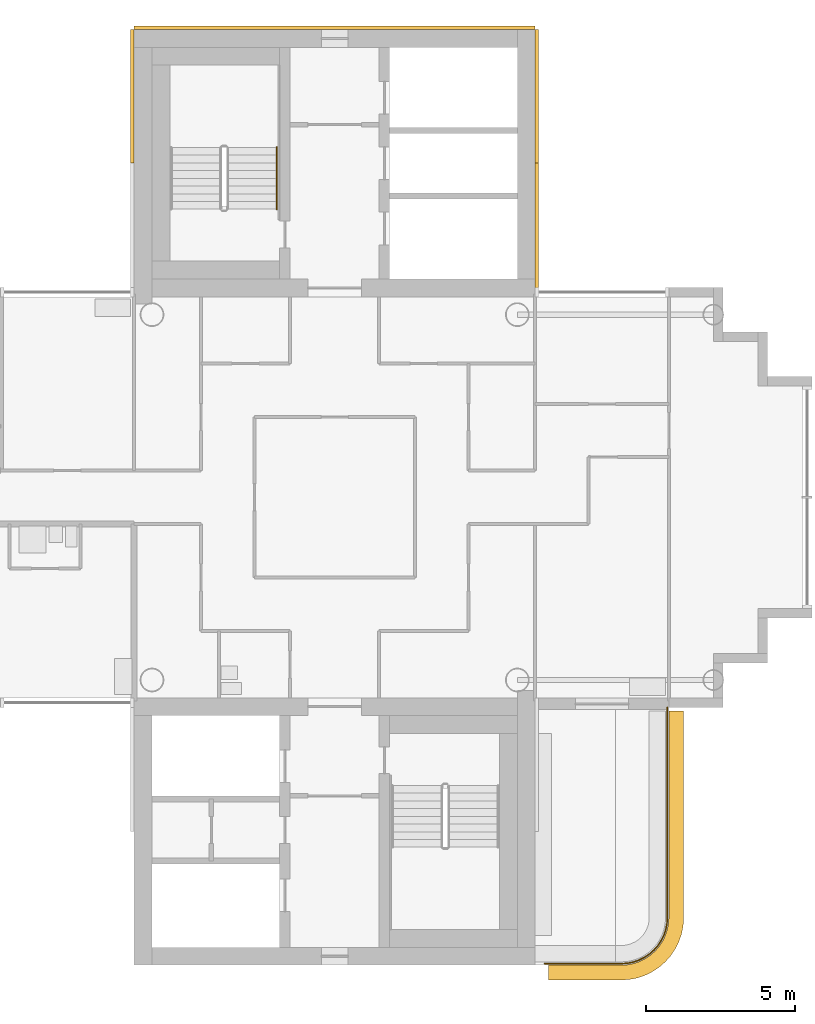
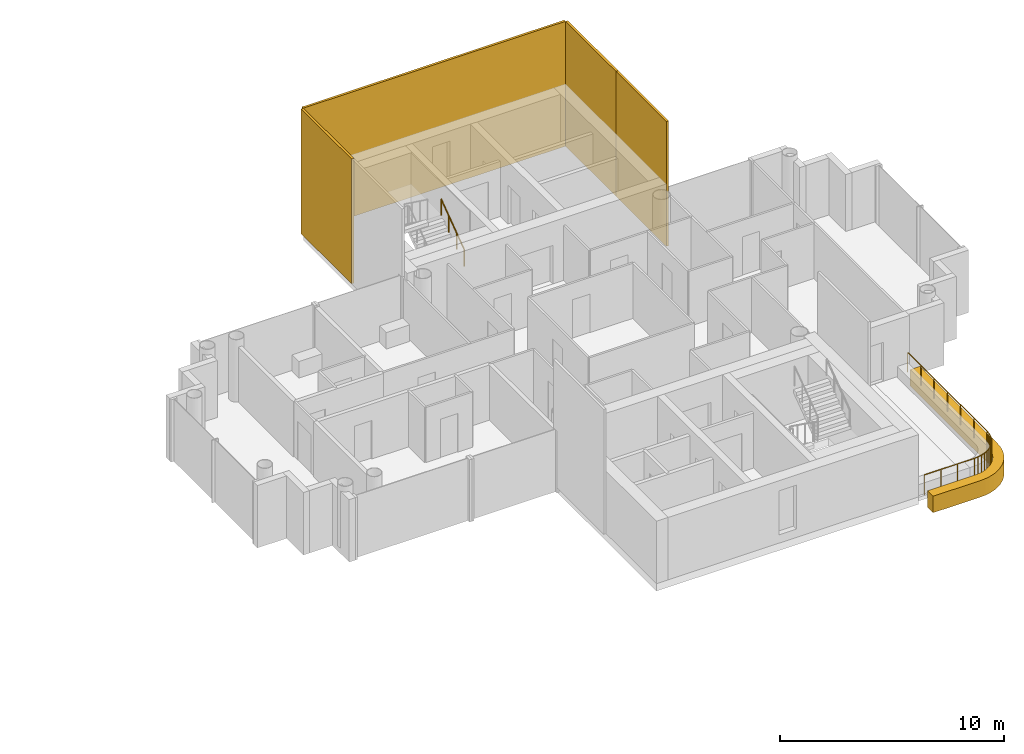
# One storey, part 17 of 18: 5 coverings, 2 railings.
"""IFC4 building model written with IfcOpenShell, lengths in metres."""

from ifc_helpers import new_model, si_unit, direction, frame, origin, origin_2d, place, context, subcontext, project, spatial, polyline, rectangle, circle, outline, extrude, material, layer, layer_set, type_object, element, save


model = new_model("IFC4")

# Units and contexts
model_context = context("Model", 3, precision=1e-05, world=origin(), true_north=direction((0.0, 1.0)))
body_context = subcontext(model_context, "Body", "Model", "MODEL_VIEW")
ifc_project = project(units=[si_unit("LENGTHUNIT", "METRE"), si_unit("AREAUNIT", "SQUARE_METRE"), si_unit("VOLUMEUNIT", "CUBIC_METRE"), si_unit("PLANEANGLEUNIT", "RADIAN"), si_unit("MASSUNIT", "GRAM", prefix="KILO")], contexts=[model_context])

# Site, building, storey
site_placement = place(None, origin())
site = spatial("IfcSite", under=ifc_project, at=site_placement, CompositionType="ELEMENT")
building_placement = place(site_placement, origin())
building = spatial("IfcBuilding", under=site, at=building_placement, Name="Ipe Terrace Towers", CompositionType="ELEMENT")
storey_placement = place(building_placement, frame((0.0, 0.0, 213.0)))
storey = spatial("IfcBuildingStorey", under=building, at=storey_placement, Name="L59", CompositionType="ELEMENT", Elevation=213.0)

# Railing
ifc_material_1 = material(Name="Stainless steel S316", Category="steel")
railing_type_1 = type_object("IfcRailingType", Name="GUARD 1100", PredefinedType="BALUSTRADE", material=ifc_material_1)
railing_1_placement = place(storey_placement, frame((43.070068359375, -15.699951171875, -0.02001953125)))
element("IfcRailing", 1, at=railing_1_placement, inside=storey, type_object=railing_type_1, Name="guard", PredefinedType="BALUSTRADE", context=body_context, shape_type="SweptSolid", body=[
    extrude(circle(Radius=0.02392578125, at=origin_2d()), frame((0.0, 0.0, 1.076171875), z_axis=(1.0, 0.0, 0.0), x_axis=(0.0, 1.0, 0.0)), (0.0, 0.0, 1.0), 2.577880859375),
    extrude(circle(Radius=0.02392578125, at=origin_2d()), frame((2.577880859375, 0.0, 1.076171875), z_axis=(0.997996439513, 0.063270109204, 0.0), x_axis=(-0.063270109204, 0.997996439513, 0.0)), (0.0, 0.0, 1.0), 0.20458984375),
    extrude(circle(Radius=0.02392578125, at=origin_2d()), frame((2.781982421875, 0.012939453125, 1.076171875), z_axis=(0.980348670139, 0.197272615832, 0.0), x_axis=(-0.197272615832, 0.980348670139, 0.0)), (0.0, 0.0, 1.0), 0.202880859375),
    extrude(circle(Radius=0.02392578125, at=origin_2d()), frame((2.98095703125, 0.052978515625, 1.076171875), z_axis=(0.947227229435, 0.320562904618, 0.0), x_axis=(-0.320562904618, 0.947227229435, 0.0)), (0.0, 0.0, 1.0), 0.20263671875),
    extrude(circle(Radius=0.02392578125, at=origin_2d()), frame((3.1728515625, 0.117919921875, 1.076171875), z_axis=(0.896341374877, 0.443364567466, 0.0), x_axis=(-0.443364567466, 0.896341374877, 0.0)), (0.0, 0.0, 1.0), 0.203125),
    extrude(circle(Radius=0.02392578125, at=origin_2d()), frame((3.35498046875, 0.2080078125, 1.076171875), z_axis=(0.833344910936, 0.552753344103, 0.0), x_axis=(-0.552753344103, 0.833344910936, 0.0)), (0.0, 0.0, 1.0), 0.20263671875),
    extrude(circle(Radius=0.02392578125, at=origin_2d()), frame((3.52392578125, 0.320068359375, 1.076171875), z_axis=(0.750856952854, 0.660464863827, 0.0), x_axis=(-0.660464863827, 0.750856952854, 0.0)), (0.0, 0.0, 1.0), 0.20263671875),
    extrude(circle(Radius=0.02392578125, at=origin_2d()), frame((3.676025390625, 0.453857421875, 1.076171875), z_axis=(0.660464863827, 0.750856952854, 0.0), x_axis=(-0.750856952854, 0.660464863827, 0.0)), (0.0, 0.0, 1.0), 0.20263671875),
    extrude(circle(Radius=0.02392578125, at=origin_2d()), frame((3.809814453125, 0.60595703125, 1.076171875), z_axis=(0.552753344103, 0.833344910936, 0.0), x_axis=(-0.833344910936, 0.552753344103, 0.0)), (0.0, 0.0, 1.0), 0.20263671875),
    extrude(circle(Radius=0.02392578125, at=origin_2d()), frame((3.921875, 0.77490234375, 1.076171875), z_axis=(0.443364567466, 0.896341374877, 0.0), x_axis=(-0.896341374877, 0.443364567466, 0.0)), (0.0, 0.0, 1.0), 0.203125),
    extrude(circle(Radius=0.02392578125, at=origin_2d()), frame((4.011962890625, 0.95703125, 1.076171875), z_axis=(0.320562904618, 0.947227229435, 0.0), x_axis=(-0.947227229435, 0.320562904618, 0.0)), (0.0, 0.0, 1.0), 0.20263671875),
    extrude(circle(Radius=0.02392578125, at=origin_2d()), frame((4.076904296875, 1.14892578125, 1.076171875), z_axis=(0.197272615832, 0.980348670139, 0.0), x_axis=(-0.980348670139, 0.197272615832, 0.0)), (0.0, 0.0, 1.0), 0.202880859375),
    extrude(circle(Radius=0.02392578125, at=origin_2d()), frame((4.116943359375, 1.347900390625, 1.076171875), z_axis=(0.063270109204, 0.997996439513, 0.0), x_axis=(-0.997996439513, 0.063270109204, 0.0)), (0.0, 0.0, 1.0), 0.20458984375),
    extrude(circle(Radius=0.02392578125, at=origin_2d()), frame((4.1298828125, 1.552001953125, 1.076171875), z_axis=(0.0, 1.0, 0.0), x_axis=(-1.0, 0.0, 0.0)), (0.0, 0.0, 1.0), 7.077880859375),
    extrude(circle(Radius=0.02099609375, at=origin_2d()), origin(), (0.0, 0.0, 1.0), 1.052001953125),
    extrude(circle(Radius=0.02099609375, at=origin_2d()), frame((0.859375, 0.0, 0.0)), (0.0, 0.0, 1.0), 1.052001953125),
    extrude(circle(Radius=0.02099609375, at=origin_2d()), frame((1.718505859375, 0.0, 0.0)), (0.0, 0.0, 1.0), 1.052001953125),
    extrude(circle(Radius=0.02099609375, at=origin_2d()), frame((2.577880859375, 0.0, 0.0)), (0.0, 0.0, 1.0), 1.052001953125),
    extrude(circle(Radius=0.02099609375, at=origin_2d()), frame((2.781982421875, 0.012939453125, 0.0)), (0.0, 0.0, 1.0), 1.052001953125),
    extrude(circle(Radius=0.02099609375, at=origin_2d()), frame((2.98095703125, 0.052978515625, 0.0)), (0.0, 0.0, 1.0), 1.052001953125),
    extrude(circle(Radius=0.02099609375, at=origin_2d()), frame((3.1728515625, 0.117919921875, 0.0)), (0.0, 0.0, 1.0), 1.052001953125),
    extrude(circle(Radius=0.02099609375, at=origin_2d()), frame((3.35498046875, 0.2080078125, 0.0)), (0.0, 0.0, 1.0), 1.052001953125),
    extrude(circle(Radius=0.02099609375, at=origin_2d()), frame((3.52392578125, 0.320068359375, 0.0)), (0.0, 0.0, 1.0), 1.052001953125),
    extrude(circle(Radius=0.02099609375, at=origin_2d()), frame((3.676025390625, 0.453857421875, 0.0)), (0.0, 0.0, 1.0), 1.052001953125),
    extrude(circle(Radius=0.02099609375, at=origin_2d()), frame((3.809814453125, 0.60595703125, 0.0)), (0.0, 0.0, 1.0), 1.052001953125),
    extrude(circle(Radius=0.02099609375, at=origin_2d()), frame((3.921875, 0.77490234375, 0.0)), (0.0, 0.0, 1.0), 1.052001953125),
    extrude(circle(Radius=0.02099609375, at=origin_2d()), frame((4.011962890625, 0.95703125, 0.0)), (0.0, 0.0, 1.0), 1.052001953125),
    extrude(circle(Radius=0.02099609375, at=origin_2d()), frame((4.076904296875, 1.14892578125, 0.0)), (0.0, 0.0, 1.0), 1.052001953125),
    extrude(circle(Radius=0.02099609375, at=origin_2d()), frame((4.116943359375, 1.347900390625, 0.0)), (0.0, 0.0, 1.0), 1.052001953125),
    extrude(circle(Radius=0.02099609375, at=origin_2d()), frame((4.1298828125, 1.552001953125, 0.0)), (0.0, 0.0, 1.0), 1.052001953125),
    extrude(circle(Radius=0.02099609375, at=origin_2d()), frame((4.1298828125, 2.731689453125, 0.0)), (0.0, 0.0, 1.0), 1.052001953125),
    extrude(circle(Radius=0.02099609375, at=origin_2d()), frame((4.1298828125, 3.911376953125, 0.0)), (0.0, 0.0, 1.0), 1.052001953125),
    extrude(circle(Radius=0.02099609375, at=origin_2d()), frame((4.1298828125, 5.0908203125, 0.0)), (0.0, 0.0, 1.0), 1.052001953125),
    extrude(circle(Radius=0.02099609375, at=origin_2d()), frame((4.1298828125, 6.2705078125, 0.0)), (0.0, 0.0, 1.0), 1.052001953125),
    extrude(circle(Radius=0.02099609375, at=origin_2d()), frame((4.1298828125, 7.4501953125, 0.0)), (0.0, 0.0, 1.0), 1.052001953125),
    extrude(circle(Radius=0.02099609375, at=origin_2d()), frame((4.1298828125, 8.6298828125, 0.0)), (0.0, 0.0, 1.0), 1.052001953125),
])

# Coverings
ifc_material_2 = material(Name="Concrete C50/60 precast, buff finish", Category="concrete")
ifc_layer_1 = layer(ifc_material_2, 0.1201171875)
ifc_layer_set_1 = layer_set([ifc_layer_1], Name="STONE CORE CLADDING 120")
covering_type_1 = type_object("IfcCoveringType", Name="STONE CORE CLADDING 120", PredefinedType="CLADDING", material=ifc_layer_set_1)
for number, where, z_axis, x_axis, name in (
    (2, (29.18994140625, 13.5, 0.0), (0.0, 0.0, 1.0), (0.0, -1.0, 0.0), "stone core cladding"),
    (3, (42.81005859375, 9.0, 0.0), (0.0, 0.0, 1.0), (0.0, 1.0, 0.0), "stone core cladding"),
    (4, (42.81005859375, 13.5, 0.0), (0.0, 0.0, 1.0), (0.0, 1.0, 0.0), "stone core cladding"),
):
    element("IfcCovering", number, at=place(storey_placement, frame(where, z_axis=z_axis, x_axis=x_axis)), inside=storey, type_object=covering_type_1, Name=name, PredefinedType="CLADDING", context=body_context, shape_type="SweptSolid", body=[
        extrude(rectangle(XDim=4.5, YDim=0.1201171875, at=origin_2d()), origin(), (0.0, 0.0, 1.0), 6.800048828125),
    ])
covering_1_placement = place(storey_placement, frame((36.0, 15.81005859375, 0.0), z_axis=(0.0, 0.0, 1.0), x_axis=(-1.0, 0.0, 0.0)))
element("IfcCovering", 5, at=covering_1_placement, inside=storey, type_object=covering_type_1, Name="stone core cladding", PredefinedType="CLADDING", context=body_context, shape_type="SweptSolid", body=[
    extrude(rectangle(XDim=13.5, YDim=0.1201171875, at=origin_2d()), origin(), (0.0, 0.0, 1.0), 6.800048828125),
])
ifc_material_3 = material(Name="Concrete C50/60 precast, buff finish", Category="concrete")
ifc_layer_2 = layer(ifc_material_3, 0.5)
ifc_layer_set_2 = layer_set([ifc_layer_2], Name="STONE EDGE BAND 500 x 900")
covering_type_2 = type_object("IfcCoveringType", Name="STONE EDGE BAND 500 x 900", PredefinedType="CLADDING", material=ifc_layer_set_2)
covering_2_placement = place(storey_placement, frame((0.0, 0.0, -0.719970703125)))
element("IfcCovering", 6, at=covering_2_placement, inside=storey, type_object=covering_type_2, Name="stone edge band", PredefinedType="CLADDING", context=body_context, shape_type="SweptSolid", body=[
    extrude(outline(polyline([(47.75, -14.14990234375), (47.75, -7.199951171875), (47.25, -7.199951171875), (47.25, -14.14990234375), (47.236083984375, -14.35888671875), (47.195068359375, -14.56396484375), (47.1279296875, -14.761962890625), (47.035888671875, -14.949951171875), (46.9189453125, -15.1240234375), (46.781005859375, -15.281005859375), (46.6240234375, -15.4189453125), (46.449951171875, -15.535888671875), (46.261962890625, -15.6279296875), (46.06396484375, -15.695068359375), (45.85888671875, -15.736083984375), (45.64990234375, -15.75), (43.199951171875, -15.75), (43.199951171875, -16.25), (45.64990234375, -16.25), (45.68310546875, -16.2490234375), (45.89208984375, -16.235107421875), (45.9560546875, -16.22705078125), (46.162109375, -16.18603515625), (46.22509765625, -16.1689453125), (46.423095703125, -16.10205078125), (46.48291015625, -16.076904296875), (46.6708984375, -15.98388671875), (46.72802734375, -15.950927734375), (46.902099609375, -15.8349609375), (46.9541015625, -15.794921875), (47.111083984375, -15.656982421875), (47.156982421875, -15.611083984375), (47.294921875, -15.4541015625), (47.3349609375, -15.402099609375), (47.450927734375, -15.22802734375), (47.48388671875, -15.1708984375), (47.576904296875, -14.98291015625), (47.60205078125, -14.923095703125), (47.6689453125, -14.72509765625), (47.68603515625, -14.662109375), (47.72705078125, -14.4560546875), (47.735107421875, -14.39208984375), (47.7490234375, -14.18310546875), (47.75, -14.14990234375)])), origin(), (0.0, 0.0, 1.0), 0.89990234375),
])

# Railing
ifc_material_4 = material(Name="Stainless steel grade 304", Category="steel")
railing_type_2 = type_object("IfcRailingType", Name="Stair handrail 900", PredefinedType="HANDRAIL", material=ifc_material_4)
railing_2_placement = place(storey_placement, frame((34.050048828125, 9.699951171875, 0.18896484375)))
element("IfcRailing", 7, at=railing_2_placement, inside=storey, type_object=railing_type_2, Name="L59 T2-ST1 stair handrail 1", PredefinedType="HANDRAIL", context=body_context, shape_type="SweptSolid", body=[
    extrude(circle(Radius=0.02392578125, at=origin_2d()), frame((0.0, 0.0, 0.8759765625), z_axis=(0.0, 0.809068575486, 0.587714250432), x_axis=(-1.0, 0.0, 0.0)), (0.0, 0.0, 1.0), 2.571044921875),
    extrude(circle(Radius=0.02099609375, at=origin_2d()), origin(), (0.0, 0.0, 1.0), 0.851806640625),
    extrude(circle(Radius=0.02099609375, at=origin_2d()), frame((0.0, 0.693359375, 0.503662109375)), (0.0, 0.0, 1.0), 0.851806640625),
    extrude(circle(Radius=0.02099609375, at=origin_2d()), frame((0.0, 1.38671875, 1.00732421875)), (0.0, 0.0, 1.0), 0.851806640625),
    extrude(circle(Radius=0.02099609375, at=origin_2d()), frame((0.0, 2.080078125, 1.510986328125)), (0.0, 0.0, 1.0), 0.851806640625),
])

save(model, "model.ifc")
